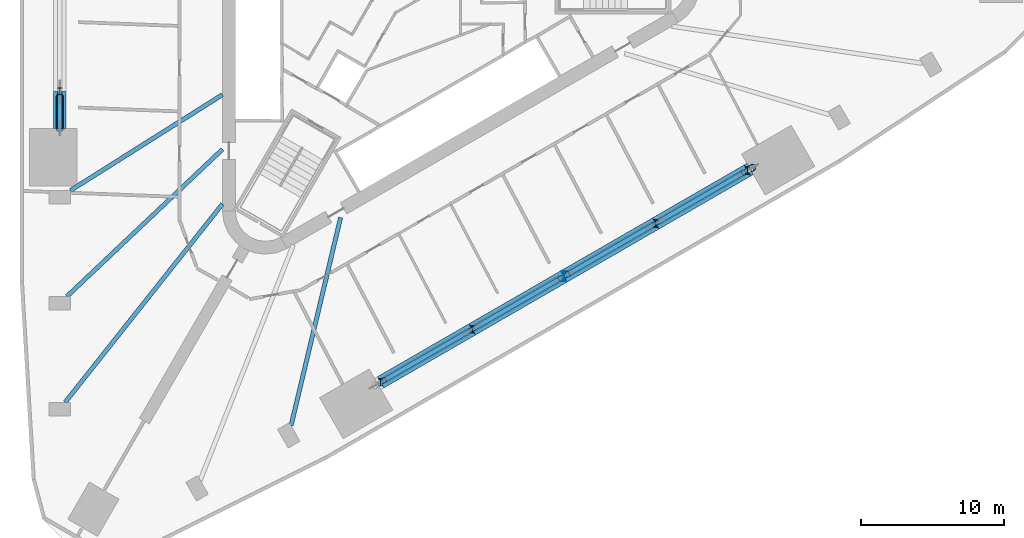
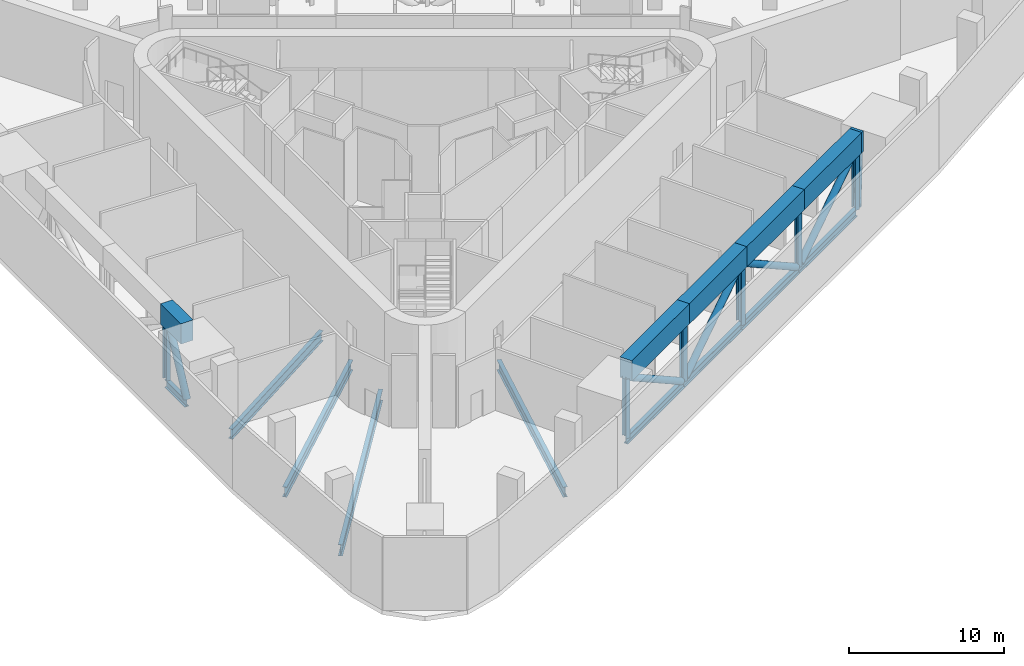
# One storey, part 2 of 14: 15 beams, 12 members.
"""IFC4 building model written with IfcOpenShell, lengths in metres."""

from ifc_helpers import new_model, si_unit, direction, frame, origin, origin_2d, place, context, subcontext, project, spatial, rectangle, hollow_circle, i_section, extrude, material, material_profile, profile_set, type_object, element, save


model = new_model("IFC4")

# Units and contexts
model_context = context("Model", 3, precision=1e-05, world=origin(), true_north=direction((0.0, 1.0)))
body_context = subcontext(model_context, "Body", "Model", "MODEL_VIEW")
ifc_project = project(units=[si_unit("LENGTHUNIT", "METRE"), si_unit("AREAUNIT", "SQUARE_METRE"), si_unit("VOLUMEUNIT", "CUBIC_METRE"), si_unit("PLANEANGLEUNIT", "RADIAN"), si_unit("MASSUNIT", "GRAM", prefix="KILO")], contexts=[model_context])

# Site, building, storey
site_placement = place(None, origin())
site = spatial("IfcSite", under=ifc_project, at=site_placement, CompositionType="ELEMENT")
building_placement = place(site_placement, origin())
building = spatial("IfcBuilding", under=site, at=building_placement, Name="Tanit Gate Tower", CompositionType="ELEMENT")
storey_placement = place(building_placement, frame((0.0, 0.0, 39.5)))
storey = spatial("IfcBuildingStorey", under=building, at=storey_placement, Name="L06", CompositionType="ELEMENT", Elevation=39.5)

# Beams
ifc_material_1 = material(Name="Steel S355", Category="steel")
ifc_material_profile_1 = material_profile(ifc_material_1, i_section(OverallWidth=0.300048828125, OverallDepth=0.7900390625, WebThickness=0.014892578125, FlangeThickness=0.028076171875, FilletRadius=0.030029296875, at=origin_2d()), Name="HEA 800")
ifc_profile_set_1 = profile_set([ifc_material_profile_1], Name="Steel S355")
beam_type_1 = type_object("IfcBeamType", Name="RADIAL GIRDER HEA 800 S355", PredefinedType="BEAM", material=ifc_profile_set_1)
beam_1_placement = place(storey_placement, frame((-22.703369140625, -14.310302734375, -0.7451171875), z_axis=(0.845964004255, 0.533240005537, 0.0), x_axis=(-0.533240005537, 0.845964004255, 0.0)))
element("IfcBeam", 1, at=beam_1_placement, inside=storey, type_object=beam_type_1, Name="RADIAL GIRDER", PredefinedType="BEAM", context=body_context, shape_type="SweptSolid", body=[
    extrude(i_section(OverallWidth=0.300048828125, OverallDepth=0.7900390625, WebThickness=0.014892578125, FlangeThickness=0.028076171875, FilletRadius=0.030029296875, at=origin_2d()), origin(), (0.0, 0.0, 1.0), 12.53173828125),
])
beam_2_placement = place(storey_placement, frame((-22.950927734375, -21.69921875, -0.7451171875), z_axis=(0.726639827007, 0.687018603683, 0.0), x_axis=(-0.687018603683, 0.726639827007, 0.0)))
element("IfcBeam", 2, at=beam_2_placement, inside=storey, type_object=beam_type_1, Name="RADIAL GIRDER", PredefinedType="BEAM", context=body_context, shape_type="SweptSolid", body=[
    extrude(i_section(OverallWidth=0.300048828125, OverallDepth=0.7900390625, WebThickness=0.014892578125, FlangeThickness=0.028076171875, FilletRadius=0.030029296875, at=origin_2d()), origin(), (0.0, 0.0, 1.0), 14.93017578125),
])
beam_3_placement = place(storey_placement, frame((-7.316650390625, -30.725830078125, -0.7451171875), z_axis=(0.231658845557, 0.972797090495, 0.0), x_axis=(-0.972797090495, 0.231658845557, 0.0)))
element("IfcBeam", 3, at=beam_3_placement, inside=storey, type_object=beam_type_1, Name="RADIAL GIRDER", PredefinedType="BEAM", context=body_context, shape_type="SweptSolid", body=[
    extrude(i_section(OverallWidth=0.300048828125, OverallDepth=0.7900390625, WebThickness=0.014892578125, FlangeThickness=0.028076171875, FilletRadius=0.030029296875, at=origin_2d()), origin(), (0.0, 0.0, 1.0), 14.930419921875),
])
ifc_material_2 = material(Name="Steel S355", Category="steel")
ifc_material_profile_2 = material_profile(ifc_material_2, i_section(OverallWidth=0.300048828125, OverallDepth=0.889892578125, WebThickness=0.01611328125, FlangeThickness=0.030029296875, FilletRadius=0.030029296875, at=origin_2d()), Name="HEA 900")
ifc_profile_set_2 = profile_set([ifc_material_profile_2], Name="Steel S355")
beam_type_2 = type_object("IfcBeamType", Name="RADIAL GIRDER HEA 900 S355", PredefinedType="BEAM", material=ifc_profile_set_2)
beam_4_placement = place(storey_placement, frame((-23.07666015625, -29.0908203125, -0.794921875), z_axis=(0.621472845829, 0.783435703742, 0.0), x_axis=(-0.783435703742, 0.621472845829, 0.0)))
element("IfcBeam", 4, at=beam_4_placement, inside=storey, type_object=beam_type_2, Name="RADIAL GIRDER", PredefinedType="BEAM", context=body_context, shape_type="SweptSolid", body=[
    extrude(i_section(OverallWidth=0.300048828125, OverallDepth=0.889892578125, WebThickness=0.01611328125, FlangeThickness=0.030029296875, FilletRadius=0.030029296875, at=origin_2d()), origin(), (0.0, 0.0, 1.0), 17.658935546875),
])
ifc_material_3 = material(Name="Concrete C60/75", Category="concrete")
ifc_material_profile_3 = material_profile(ifc_material_3, rectangle(XDim=0.89990234375, YDim=1.60009765625, at=origin_2d()), Name="RC 900x1600")
ifc_profile_set_3 = profile_set([ifc_material_profile_3], Name="Concrete C60/75")
beam_type_3 = type_object("IfcBeamType", Name="TRANSFER GIRDER 900x1600 C60/75", PredefinedType="USERDEFINED", material=ifc_profile_set_3)
for number, where, z_axis, x_axis, name in (
    (5, (-1.07568359375, -27.70263671875, 4.89990234375), (0.866033223096, 0.49998645631, 0.0), (-0.49998645631, 0.866033223096, 0.0), "TRANSFER TRUSS TOP CHORD"),
    (6, (5.325439453125, -24.007080078125, 4.89990234375), (0.866018920502, 0.500011229206, 0.0), (-0.500011229206, 0.866018920502, 0.0), "TRANSFER TRUSS TOP CHORD"),
):
    element("IfcBeam", number, at=place(storey_placement, frame(where, z_axis=z_axis, x_axis=x_axis)), inside=storey, type_object=beam_type_3, Name=name, ObjectType="GIRDER", PredefinedType="USERDEFINED", context=body_context, shape_type="SweptSolid", body=[
        extrude(rectangle(XDim=0.89990234375, YDim=1.60009765625, at=origin_2d()), origin(), (0.0, 0.0, 1.0), 7.391357421875),
    ])
beam_5_placement = place(storey_placement, frame((11.7265625, -20.311279296875, 4.89990234375), z_axis=(0.86602717807, 0.499996926835, 0.0), x_axis=(-0.499996926835, 0.86602717807, 0.0)))
element("IfcBeam", 7, at=beam_5_placement, inside=storey, type_object=beam_type_3, Name="TRANSFER TRUSS TOP CHORD", ObjectType="GIRDER", PredefinedType="USERDEFINED", context=body_context, shape_type="SweptSolid", body=[
    extrude(rectangle(XDim=0.89990234375, YDim=1.60009765625, at=origin_2d()), origin(), (0.0, 0.0, 1.0), 7.3916015625),
])
beam_6_placement = place(storey_placement, frame((18.1279296875, -16.615478515625, 4.89990234375), z_axis=(0.866018920502, 0.500011229206, 0.0), x_axis=(-0.500011229206, 0.866018920502, 0.0)))
element("IfcBeam", 8, at=beam_6_placement, inside=storey, type_object=beam_type_3, Name="TRANSFER TRUSS TOP CHORD", ObjectType="GIRDER", PredefinedType="USERDEFINED", context=body_context, shape_type="SweptSolid", body=[
    extrude(rectangle(XDim=0.89990234375, YDim=1.60009765625, at=origin_2d()), origin(), (0.0, 0.0, 1.0), 7.391357421875),
])
beam_7_placement = place(storey_placement, frame((24.529052734375, -12.919677734375, 4.89990234375), z_axis=(0.866297945504, 0.499527646498, 0.0), x_axis=(-0.499527646498, 0.866297945504, 0.0)))
element("IfcBeam", 9, at=beam_7_placement, inside=storey, type_object=beam_type_3, Name="TRANSFER TRUSS TOP CHORD", ObjectType="GIRDER", PredefinedType="USERDEFINED", context=body_context, shape_type="SweptSolid", body=[
    extrude(rectangle(XDim=0.89990234375, YDim=1.60009765625, at=origin_2d()), origin(), (0.0, 0.0, 1.0), 0.217041015625),
])
beam_8_placement = place(storey_placement, frame((-23.453369140625, -7.391357421875, 4.89990234375), z_axis=(0.0, -1.0, 0.0), x_axis=(1.0, 0.0, 0.0)))
element("IfcBeam", 10, at=beam_8_placement, inside=storey, type_object=beam_type_3, Name="TRANSFER TRUSS TOP CHORD", ObjectType="GIRDER", PredefinedType="USERDEFINED", context=body_context, shape_type="SweptSolid", body=[
    extrude(rectangle(XDim=0.89990234375, YDim=1.60009765625, at=origin_2d()), origin(), (0.0, 0.0, 1.0), 2.608642578125),
])
ifc_material_4 = material(Name="Steel S460", Category="steel")
ifc_material_profile_4 = material_profile(ifc_material_4, i_section(OverallWidth=0.304931640625, OverallDepth=0.6201171875, WebThickness=0.02099609375, FlangeThickness=0.0400390625, FilletRadius=0.027099609375, at=origin_2d()), Name="HEM 600")
ifc_profile_set_4 = profile_set([ifc_material_profile_4], Name="Steel S460")
beam_type_4 = type_object("IfcBeamType", Name="TRANSFER TRUSS CHORD HEM 600 S460", PredefinedType="BEAM", material=ifc_profile_set_4)
for number, where, z_axis, x_axis, name in (
    (11, (-1.07568359375, -27.70263671875, -0.659912109375), (0.866033223096, 0.49998645631, 0.0), (-0.49998645631, 0.866033223096, 0.0), "TRANSFER TRUSS BOTTOM CHORD"),
    (12, (5.325439453125, -24.007080078125, -0.659912109375), (0.866018920502, 0.500011229206, 0.0), (-0.500011229206, 0.866018920502, 0.0), "TRANSFER TRUSS BOTTOM CHORD"),
):
    element("IfcBeam", number, at=place(storey_placement, frame(where, z_axis=z_axis, x_axis=x_axis)), inside=storey, type_object=beam_type_4, Name=name, PredefinedType="BEAM", context=body_context, shape_type="SweptSolid", body=[
        extrude(i_section(OverallWidth=0.304931640625, OverallDepth=0.6201171875, WebThickness=0.02099609375, FlangeThickness=0.0400390625, FilletRadius=0.027099609375, at=origin_2d()), origin(), (0.0, 0.0, 1.0), 7.391357421875),
    ])
beam_9_placement = place(storey_placement, frame((11.7265625, -20.311279296875, -0.659912109375), z_axis=(0.86602717807, 0.499996926835, 0.0), x_axis=(-0.499996926835, 0.86602717807, 0.0)))
element("IfcBeam", 13, at=beam_9_placement, inside=storey, type_object=beam_type_4, Name="TRANSFER TRUSS BOTTOM CHORD", PredefinedType="BEAM", context=body_context, shape_type="SweptSolid", body=[
    extrude(i_section(OverallWidth=0.304931640625, OverallDepth=0.6201171875, WebThickness=0.02099609375, FlangeThickness=0.0400390625, FilletRadius=0.027099609375, at=origin_2d()), origin(), (0.0, 0.0, 1.0), 7.3916015625),
])
beam_10_placement = place(storey_placement, frame((18.1279296875, -16.615478515625, -0.659912109375), z_axis=(0.866018920502, 0.500011229206, 0.0), x_axis=(-0.500011229206, 0.866018920502, 0.0)))
element("IfcBeam", 14, at=beam_10_placement, inside=storey, type_object=beam_type_4, Name="TRANSFER TRUSS BOTTOM CHORD", PredefinedType="BEAM", context=body_context, shape_type="SweptSolid", body=[
    extrude(i_section(OverallWidth=0.304931640625, OverallDepth=0.6201171875, WebThickness=0.02099609375, FlangeThickness=0.0400390625, FilletRadius=0.027099609375, at=origin_2d()), origin(), (0.0, 0.0, 1.0), 7.391357421875),
])
beam_11_placement = place(storey_placement, frame((-23.453369140625, -7.391357421875, -0.659912109375), z_axis=(0.0, -1.0, 0.0), x_axis=(1.0, 0.0, 0.0)))
element("IfcBeam", 15, at=beam_11_placement, inside=storey, type_object=beam_type_4, Name="TRANSFER TRUSS BOTTOM CHORD", PredefinedType="BEAM", context=body_context, shape_type="SweptSolid", body=[
    extrude(i_section(OverallWidth=0.304931640625, OverallDepth=0.6201171875, WebThickness=0.02099609375, FlangeThickness=0.0400390625, FilletRadius=0.027099609375, at=origin_2d()), origin(), (0.0, 0.0, 1.0), 2.608642578125),
])

# Members
ifc_material_5 = material(Name="Steel S460", Category="steel")
ifc_material_profile_5 = material_profile(ifc_material_5, hollow_circle(Radius=0.25390625, WallThickness=0.02490234375, at=origin_2d()), Name="CHS 508x25")
ifc_profile_set_5 = profile_set([ifc_material_profile_5], Name="Steel S460")
member_type_1 = type_object("IfcMemberType", Name="TRANSFER TRUSS DIAGONAL CHS 508x25 S460", PredefinedType="BRACE", material=ifc_profile_set_5)
for number, where, z_axis, x_axis, name in (
    (16, (-0.82373046875, -27.55712890625, 4.10009765625), (0.724951522704, 0.418524073033, -0.547067536984), (-0.499975912971, 0.86603930999, 0.0), "TRANSFER TRUSS DIAGONAL"),
    (17, (5.57763671875, -23.861572265625, -0.35009765625), (0.724928176508, 0.418557934486, 0.547072567748), (-0.500018328342, 0.866014821653, 0.0), "TRANSFER TRUSS DIAGONAL"),
):
    element("IfcMember", number, at=place(storey_placement, frame(where, z_axis=z_axis, x_axis=x_axis)), inside=storey, type_object=member_type_1, Name=name, PredefinedType="BRACE", context=body_context, shape_type="SweptSolid", body=[
        extrude(hollow_circle(Radius=0.25390625, WallThickness=0.02490234375, at=origin_2d()), origin(), (0.0, 0.0, 1.0), 8.134521484375),
    ])
for number, where, z_axis, x_axis, name in (
    (18, (11.978759765625, -20.165771484375, 4.10009765625), (0.724942416472, 0.418548827991, -0.547060665181), (-0.500002803175, 0.866023785365, 0.0), "TRANSFER TRUSS DIAGONAL"),
    (19, (18.3798828125, -16.469970703125, -0.35009765625), (0.724942416472, 0.418548827991, 0.547060665181), (-0.500002803175, 0.866023785365, 0.0), "TRANSFER TRUSS DIAGONAL"),
):
    element("IfcMember", number, at=place(storey_placement, frame(where, z_axis=z_axis, x_axis=x_axis)), inside=storey, type_object=member_type_1, Name=name, PredefinedType="BRACE", context=body_context, shape_type="SweptSolid", body=[
        extrude(hollow_circle(Radius=0.25390625, WallThickness=0.02490234375, at=origin_2d()), origin(), (0.0, 0.0, 1.0), 8.134765625),
    ])
member_1_placement = place(storey_placement, frame((24.887451171875, -12.712890625, 4.10009765625), z_axis=(-0.038255357524, -0.022087262295, -0.999023863812), x_axis=(0.500008851346, -0.866020293397, 0.0)))
element("IfcMember", 20, at=member_1_placement, inside=storey, type_object=member_type_1, Name="TRANSFER TRUSS DIAGONAL", PredefinedType="BRACE", context=body_context, shape_type="SweptSolid", body=[
    extrude(hollow_circle(Radius=0.25390625, WallThickness=0.02490234375, at=origin_2d()), origin(), (0.0, 0.0, 1.0), 4.45458984375),
])
member_2_placement = place(storey_placement, frame((-23.453369140625, -7.7705078125, 4.10009765625), z_axis=(0.0, -0.447919768441, -0.894073755928), x_axis=(1.0, 0.0, 0.0)))
element("IfcMember", 21, at=member_2_placement, inside=storey, type_object=member_type_1, Name="TRANSFER TRUSS DIAGONAL", PredefinedType="BRACE", context=body_context, shape_type="SweptSolid", body=[
    extrude(hollow_circle(Radius=0.25390625, WallThickness=0.02490234375, at=origin_2d()), origin(), (0.0, 0.0, 1.0), 4.9775390625),
])
ifc_material_6 = material(Name="Steel S460", Category="steel")
ifc_material_profile_6 = material_profile(ifc_material_6, i_section(OverallWidth=0.300048828125, OverallDepth=0.5, WebThickness=0.014404296875, FlangeThickness=0.028076171875, FilletRadius=0.027099609375, at=origin_2d()), Name="HEB 500")
ifc_profile_set_6 = profile_set([ifc_material_profile_6], Name="Steel S460")
member_type_2 = type_object("IfcMemberType", Name="TRANSFER TRUSS POST HEB 500 S460", PredefinedType="POST", material=ifc_profile_set_6)
for number, where, z_axis, x_axis, name in (
    (22, (-1.07568359375, -27.70263671875, -0.39990234375), (0.0, 0.0, 1.0), (1.0, 0.0, 0.0), "TRANSFER TRUSS POST"),
    (23, (5.325439453125, -24.007080078125, -0.39990234375), (0.0, 0.0, 1.0), (1.0, 0.0, 0.0), "TRANSFER TRUSS POST"),
    (24, (18.1279296875, -16.615478515625, -0.39990234375), (0.0, 0.0, 1.0), (1.0, 0.0, 0.0), "TRANSFER TRUSS POST"),
    (25, (24.529052734375, -12.919677734375, -0.39990234375), (0.0, 0.0, 1.0), (1.0, 0.0, 0.0), "TRANSFER TRUSS POST"),
    (26, (-23.453369140625, -7.391357421875, -0.39990234375), (0.0, 0.0, 1.0), (1.0, 0.0, 0.0), "TRANSFER TRUSS POST"),
):
    element("IfcMember", number, at=place(storey_placement, frame(where, z_axis=z_axis, x_axis=x_axis)), inside=storey, type_object=member_type_2, Name=name, PredefinedType="POST", context=body_context, shape_type="SweptSolid", body=[
        extrude(i_section(OverallWidth=0.300048828125, OverallDepth=0.5, WebThickness=0.014404296875, FlangeThickness=0.028076171875, FilletRadius=0.027099609375, at=origin_2d()), origin(), (0.0, 0.0, 1.0), 4.64990234375),
    ])
ifc_material_7 = material(Name="Steel S460", Category="steel")
ifc_material_profile_7 = material_profile(ifc_material_7, i_section(OverallWidth=0.300048828125, OverallDepth=0.699951171875, WebThickness=0.01708984375, FlangeThickness=0.031982421875, FilletRadius=0.027099609375, at=origin_2d()), Name="HEB 700")
ifc_profile_set_7 = profile_set([ifc_material_profile_7], Name="Steel S460")
member_type_3 = type_object("IfcMemberType", Name="TRANSFER TRUSS POST HEB 700 S460", PredefinedType="POST", material=ifc_profile_set_7)
member_3_placement = place(storey_placement, frame((11.7265625, -20.311279296875, -0.39990234375), z_axis=(0.0, 0.0, 1.0), x_axis=(1.0, 0.0, 0.0)))
element("IfcMember", 27, at=member_3_placement, inside=storey, type_object=member_type_3, Name="TRANSFER TRUSS POST", PredefinedType="POST", context=body_context, shape_type="SweptSolid", body=[
    extrude(i_section(OverallWidth=0.300048828125, OverallDepth=0.699951171875, WebThickness=0.01708984375, FlangeThickness=0.031982421875, FilletRadius=0.027099609375, at=origin_2d()), origin(), (0.0, 0.0, 1.0), 4.64990234375),
])

save(model, "model.ifc")
